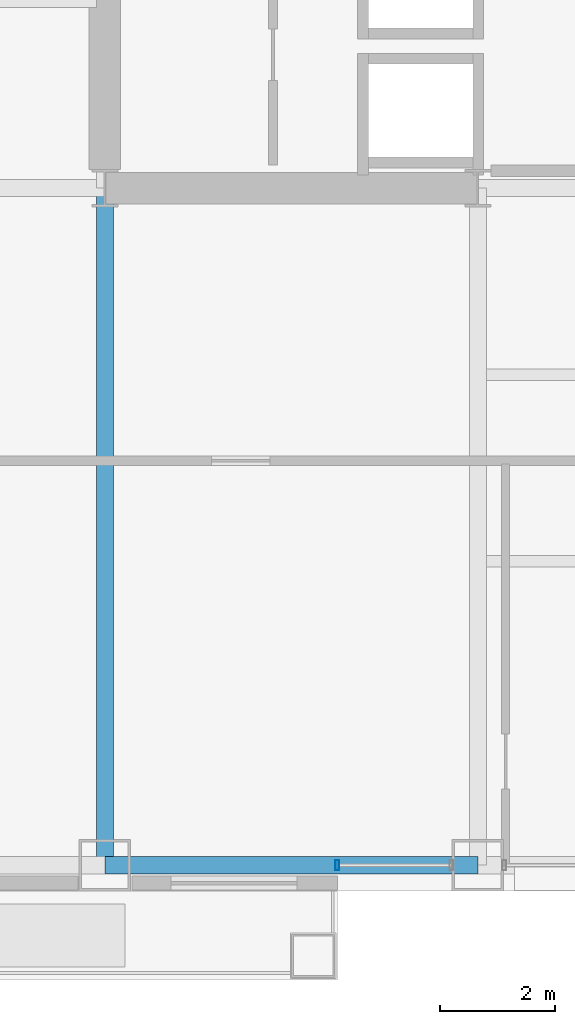
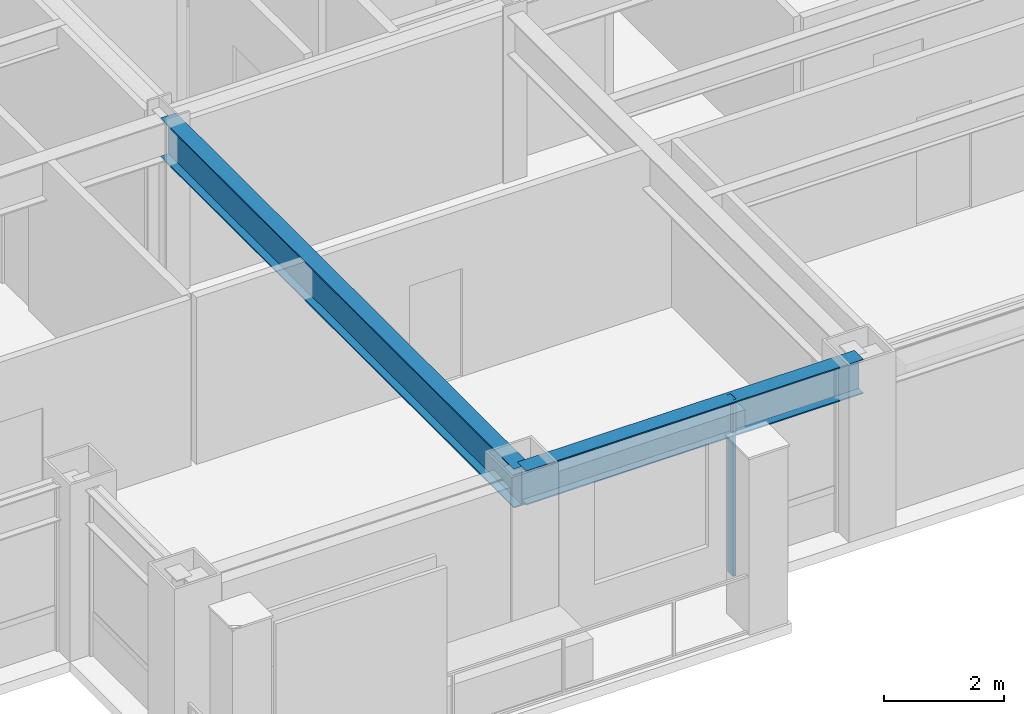
# One storey, part 3 of 29: 2 beams, 1 member, 1 element without a shape of its own.
"""IFC4 building model written with IfcOpenShell, lengths in metres."""

from ifc_helpers import new_model, si_unit, direction, frame, origin, origin_2d, place, context, subcontext, project, spatial, hollow_rectangle, i_section, extrude, material, layer, layer_set, material_profile, profile_set, type_object, element, aggregate, save


model = new_model("IFC4")

# Units and contexts
model_context = context("Model", 3, precision=1e-05, world=origin(), true_north=direction((0.0, 1.0)))
body_context = subcontext(model_context, "Body", "Model", "MODEL_VIEW")
ifc_project = project(units=[si_unit("LENGTHUNIT", "METRE"), si_unit("AREAUNIT", "SQUARE_METRE"), si_unit("VOLUMEUNIT", "CUBIC_METRE"), si_unit("PLANEANGLEUNIT", "RADIAN"), si_unit("MASSUNIT", "GRAM", prefix="KILO")], contexts=[model_context])

# Site, building, storey
site_placement = place(None, origin())
site = spatial("IfcSite", under=ifc_project, at=site_placement, CompositionType="ELEMENT")
building_placement = place(site_placement, origin())
building = spatial("IfcBuilding", under=site, at=building_placement, Name="Brelmoor Portico Tower", CompositionType="ELEMENT")
storey_placement = place(building_placement, frame((0.0, 0.0, 60.0)))
storey = spatial("IfcBuildingStorey", under=building, at=storey_placement, Name="L15", CompositionType="ELEMENT", Elevation=60.0)

# Beams
ifc_material_1 = material(Name="Steel Q355B", Category="steel")
ifc_material_profile_1 = material_profile(ifc_material_1, i_section(OverallWidth=0.300048828125, OverallDepth=0.800048828125, WebThickness=0.013916015625, FlangeThickness=0.02587890625, at=origin_2d()), Name="HN 800x300x14x26")
ifc_profile_set_1 = profile_set([ifc_material_profile_1], Name="Steel Q355B")
beam_type_1 = type_object("IfcBeamType", Name="BM-PG-800", PredefinedType="BEAM", material=ifc_profile_set_1)
beam_1_placement = place(storey_placement, frame((-14.550048828125, -21.550048828125, 3.0), z_axis=(0.0, 1.0, 0.0), x_axis=(-1.0, 0.0, 0.0)))
element("IfcBeam", 1, at=beam_1_placement, inside=storey, type_object=beam_type_1, Name="L15 Primary Floor Girder PG-03", PredefinedType="BEAM", context=body_context, shape_type="SweptSolid", body=[
    extrude(i_section(OverallWidth=0.300048828125, OverallDepth=0.800048828125, WebThickness=0.013916015625, FlangeThickness=0.02587890625, at=origin_2d()), origin(), (0.0, 0.0, 1.0), 11.800048828125),
])
ifc_material_profile_2 = material_profile(ifc_material_1, i_section(OverallWidth=0.300048828125, OverallDepth=0.699951171875, WebThickness=0.012939453125, FlangeThickness=0.02392578125, at=origin_2d()), Name="HN 700x300x13x24")
ifc_profile_set_2 = profile_set([ifc_material_profile_2], Name="Steel Q355B")
beam_type_2 = type_object("IfcBeamType", Name="BM-SP-700", PredefinedType="SPANDREL", material=ifc_profile_set_2)
beam_2_placement = place(storey_placement, frame((-14.550048828125, -21.550048828125, 3.050048828125), z_axis=(1.0, 0.0, 0.0), x_axis=(0.0, 1.0, 0.0)))
element("IfcBeam", 2, at=beam_2_placement, inside=storey, type_object=beam_type_2, Name="L15 Perimeter Spandrel Beam SP-02", PredefinedType="SPANDREL", context=body_context, shape_type="SweptSolid", body=[
    extrude(i_section(OverallWidth=0.300048828125, OverallDepth=0.699951171875, WebThickness=0.012939453125, FlangeThickness=0.02392578125, at=origin_2d()), origin(), (0.0, 0.0, 1.0), 6.5),
])

# Curtain wall, member
ifc_material_2 = material(Name="Anodised Aluminium Alloy 6063-T6", Category="aluminium")
ifc_layer = layer(ifc_material_2, 0.179931640625)
ifc_layer_set = layer_set([ifc_layer], Name="Anodised Aluminium Alloy 6063-T6")
curtain_wall_type = type_object("IfcCurtainWallType", Name="CW-TOWER-Z1", PredefinedType="NOTDEFINED", material=ifc_layer_set)
curtain_wall_placement = place(storey_placement, origin())
curtain_wall = element("IfcCurtainWall", 3, at=curtain_wall_placement, inside=storey, type_object=curtain_wall_type, Name="L15 Curtain Wall CW-L15-1R-1", PredefinedType="NOTDEFINED")
ifc_material_profile_3 = material_profile(ifc_material_2, hollow_rectangle(XDim=0.06494140625, YDim=0.179931640625, WallThickness=0.00390625, at=origin_2d()), Name="ALU MULLION 65x180")
ifc_profile_set_3 = profile_set([ifc_material_profile_3], Name="Anodised Aluminium Alloy 6063-T6")
member_type = type_object("IfcMemberType", Name="MB-CW-MULL-180", PredefinedType="MULLION", material=ifc_profile_set_3)
member_placement = place(storey_placement, frame((-10.5, -21.550048828125, -0.199951171875), z_axis=(0.0, 0.0, 1.0), x_axis=(1.0, 0.0, 0.0)))
member = element("IfcMember", 4, at=member_placement, type_object=member_type, Name="CW-L15-1R-1 Mullion 00", PredefinedType="MULLION", context=body_context, shape_type="SweptSolid", body=[
    extrude(hollow_rectangle(XDim=0.06494140625, YDim=0.179931640625, WallThickness=0.00390625, at=origin_2d()), origin(), (0.0, 0.0, 1.0), 3.599853515625),
])
aggregate(curtain_wall, [member])

save(model, "model.ifc")
